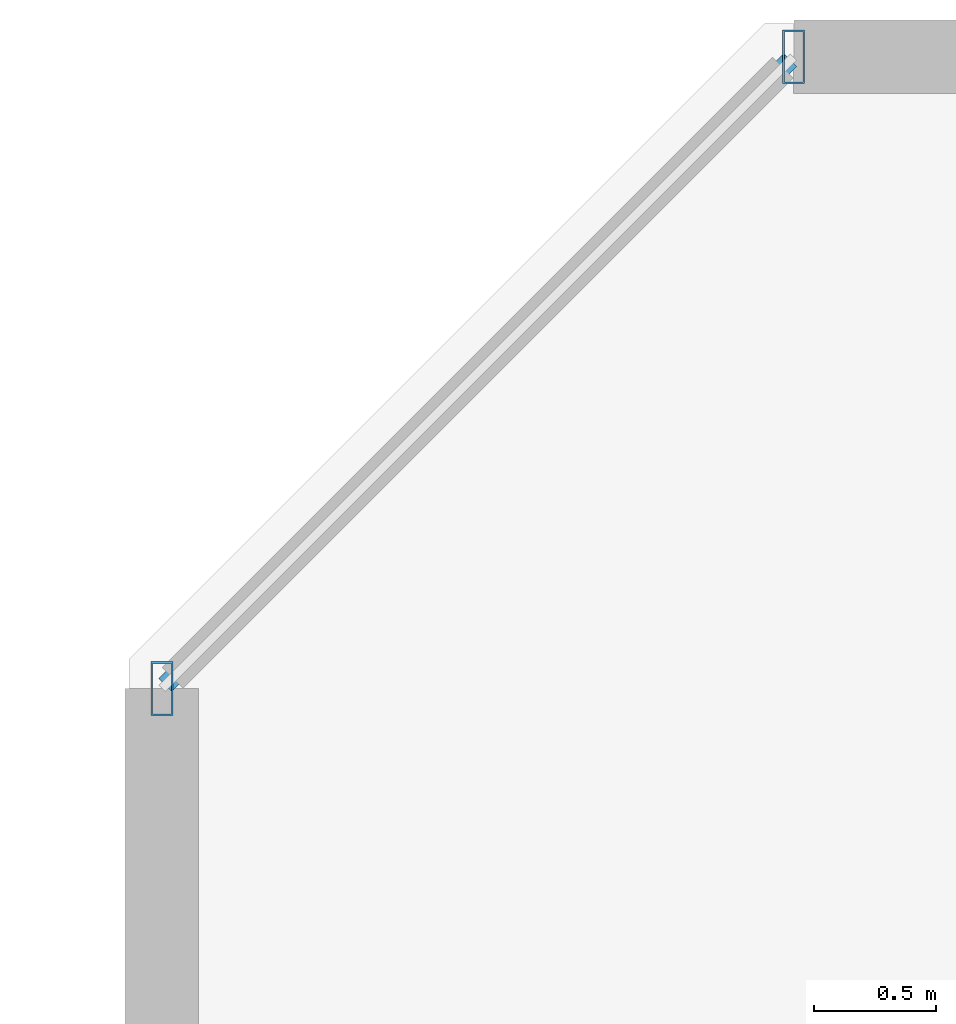
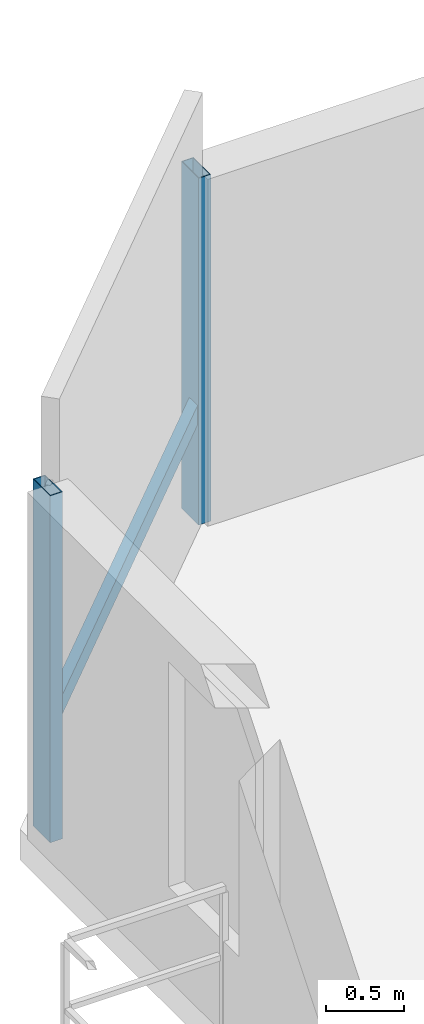
# One storey, part 7 of 33: 3 members, 1 element without a shape of its own.
"""IFC4 building model written with IfcOpenShell, lengths in metres."""

from ifc_helpers import new_model, si_unit, direction, frame, origin, origin_2d, place, context, subcontext, project, spatial, hollow_rectangle, extrude, material, material_profile, profile_set, type_object, element, aggregate, save


model = new_model("IFC4")

# Units and contexts
model_context = context("Model", 3, precision=1e-05, world=origin(), true_north=direction((0.0, 1.0)))
body_context = subcontext(model_context, "Body", "Model", "MODEL_VIEW")
ifc_project = project(units=[si_unit("LENGTHUNIT", "METRE"), si_unit("AREAUNIT", "SQUARE_METRE"), si_unit("VOLUMEUNIT", "CUBIC_METRE"), si_unit("PLANEANGLEUNIT", "RADIAN"), si_unit("MASSUNIT", "GRAM", prefix="KILO")], contexts=[model_context])

# Site, building, storey
site_placement = place(None, origin())
site = spatial("IfcSite", under=ifc_project, at=site_placement, CompositionType="ELEMENT")
building_placement = place(site_placement, origin())
building = spatial("IfcBuilding", under=site, at=building_placement, Name="Thornwick Lancets Civic Towers", CompositionType="ELEMENT")
storey_placement = place(building_placement, frame((0.0, 0.0, 42.300048828125)))
storey = spatial("IfcBuildingStorey", under=building, at=storey_placement, Name="L10", CompositionType="ELEMENT", Elevation=42.300048828125)

# Curtain wall, members
ifc_material_1 = material(Name="Low-zone chamfered-corner unitised glass curtain wall", Category="glass")
curtain_wall_type = type_object("IfcCurtainWallType", Name="CW_SYS_03", PredefinedType="NOTDEFINED", material=ifc_material_1)
curtain_wall_placement = place(storey_placement, origin())
curtain_wall = element("IfcCurtainWall", 1, at=curtain_wall_placement, inside=storey, type_object=curtain_wall_type, Name="L10 Curtain Wall CW-L10-A-E5", PredefinedType="NOTDEFINED")
ifc_material_2 = material(Name="Thermally broken bronze aluminium S355", Category="steel")
ifc_material_profile_1 = material_profile(ifc_material_2, hollow_rectangle(XDim=0.090087890625, YDim=0.219970703125, WallThickness=0.00634765625, at=origin_2d()), Name="RHS 220x90x6.3")
ifc_profile_set_1 = profile_set([ifc_material_profile_1], Name="Thermally broken bronze aluminium S355")
member_type_1 = type_object("IfcMemberType", Name="CW_MUL_220", PredefinedType="MULLION", material=ifc_profile_set_1)
member_1_placement = place(storey_placement, frame((3.81884765625, 45.264892578125, 0.0), z_axis=(0.0, 0.0, 1.0), x_axis=(1.0, 0.0, 0.0)))
member_1 = element("IfcMember", 2, at=member_1_placement, type_object=member_type_1, Name="CW-L10-A-E5 Mullion 0", PredefinedType="MULLION", context=body_context, shape_type="SweptSolid", body=[
    extrude(hollow_rectangle(XDim=0.090087890625, YDim=0.219970703125, WallThickness=0.00634765625, at=origin_2d()), origin(), (0.0, 0.0, 1.0), 2.699951171875),
])
member_2_placement = place(storey_placement, frame((1.235107421875, 42.68115234375, 0.0), z_axis=(0.0, 0.0, 1.0), x_axis=(1.0, 0.0, 0.0)))
member_2 = element("IfcMember", 3, at=member_2_placement, type_object=member_type_1, Name="CW-L10-A-E5 Mullion 1", PredefinedType="MULLION", context=body_context, shape_type="SweptSolid", body=[
    extrude(hollow_rectangle(XDim=0.090087890625, YDim=0.219970703125, WallThickness=0.00634765625, at=origin_2d()), origin(), (0.0, 0.0, 1.0), 2.699951171875),
])
ifc_material_profile_2 = material_profile(ifc_material_2, hollow_rectangle(XDim=0.074951171875, YDim=0.14990234375, WallThickness=0.0048828125, at=origin_2d()), Name="RHS 150x75x5")
ifc_profile_set_2 = profile_set([ifc_material_profile_2], Name="Thermally broken bronze aluminium S355")
member_type_2 = type_object("IfcMemberType", Name="CW_TRN_150", PredefinedType="USERDEFINED", material=ifc_profile_set_2)
member_3_placement = place(storey_placement, frame((3.8046875, 45.250732421875, 0.849853515625), z_axis=(-0.707106781187, -0.707106781187, 0.0), x_axis=(0.707106781187, -0.707106781187, 0.0)))
member_3 = element("IfcMember", 4, at=member_3_placement, type_object=member_type_2, Name="CW-L10-A-E5 Transom 0", ObjectType="TRANSOM", PredefinedType="USERDEFINED", context=body_context, shape_type="SweptSolid", body=[
    extrude(hollow_rectangle(XDim=0.074951171875, YDim=0.14990234375, WallThickness=0.0048828125, at=origin_2d()), origin(), (0.0, 0.0, 1.0), 3.614013671875),
])
aggregate(curtain_wall, [member_1, member_2, member_3])

save(model, "model.ifc")
